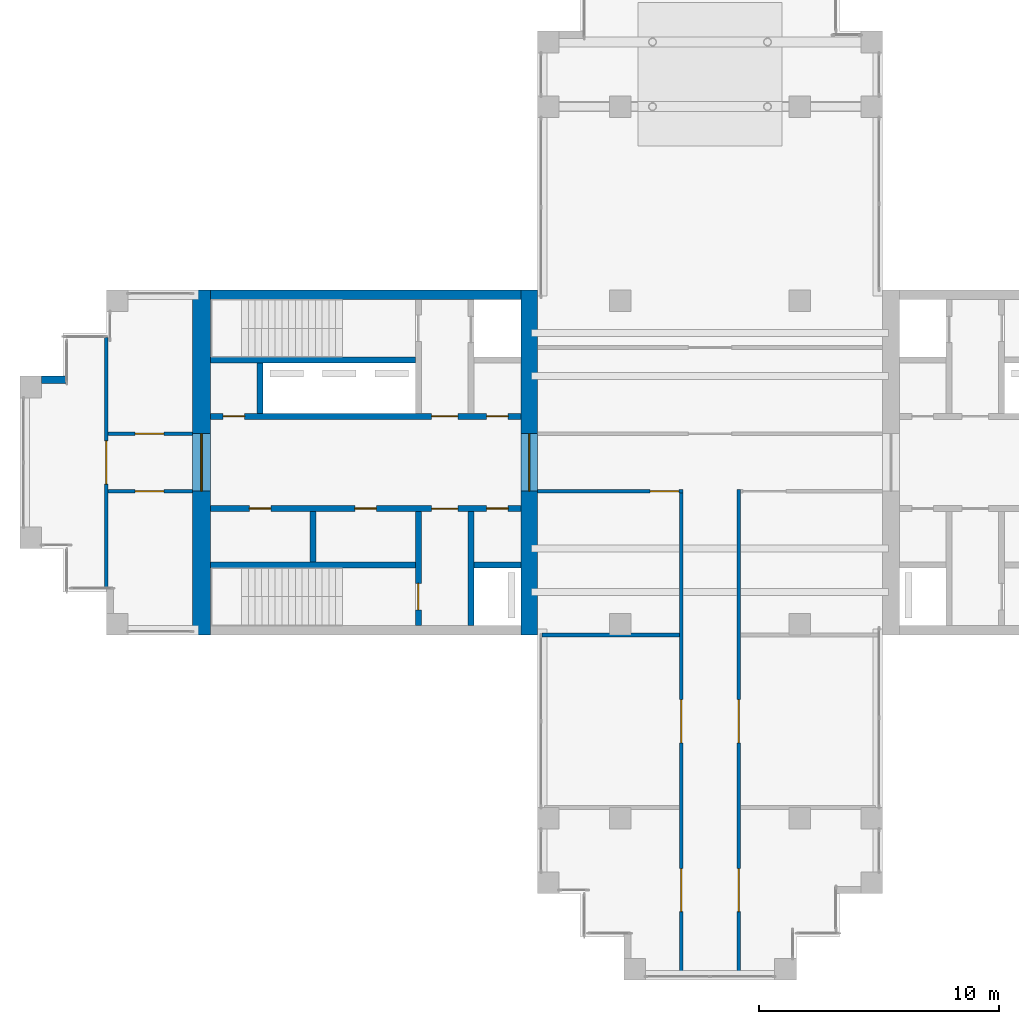
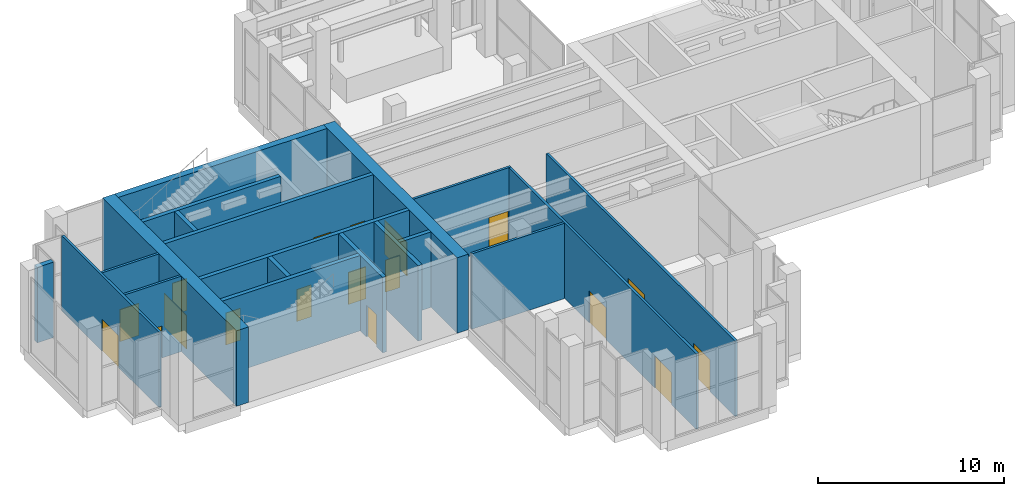
# One storey, part 10 of 13: 20 walls, 18 doors, 18 openings.
"""IFC4 building model written with IfcOpenShell, lengths in metres."""

from ifc_helpers import new_model, si_unit, direction, frame, frame_2d, origin, place, context, subcontext, project, spatial, rectangle, extrude, material, layer, layer_set, type_object, element, fill, save


model = new_model("IFC4")

# Units and contexts
model_context = context("Model", 3, precision=1e-05, world=origin(), true_north=direction((0.0, 1.0)))
body_context = subcontext(model_context, "Body", "Model", "MODEL_VIEW")
ifc_project = project(units=[si_unit("LENGTHUNIT", "METRE"), si_unit("AREAUNIT", "SQUARE_METRE"), si_unit("VOLUMEUNIT", "CUBIC_METRE"), si_unit("PLANEANGLEUNIT", "RADIAN"), si_unit("MASSUNIT", "GRAM", prefix="KILO")], contexts=[model_context])

# Site, building, storey
site_placement = place(None, origin())
site = spatial("IfcSite", under=ifc_project, at=site_placement, CompositionType="ELEMENT")
building_placement = place(site_placement, origin())
building = spatial("IfcBuilding", under=site, at=building_placement, Name="Fustian Cross Tower", CompositionType="ELEMENT")
storey_placement = place(building_placement, frame((0.0, 0.0, 242.10009765625)))
storey = spatial("IfcBuildingStorey", under=building, at=storey_placement, Name="L76", CompositionType="ELEMENT", Elevation=242.10009765625)

# Wall, opening, door
ifc_material_1 = material(Name="Plasterboard on steel stud", Category="steel")
ifc_layer_1 = layer(ifc_material_1, 0.14990234375)
ifc_layer_set_1 = layer_set([ifc_layer_1], Name="Plasterboard on steel stud")
wall_type_1 = type_object("IfcWallType", Name="COMPARTMENT WALL 150 EI 60", PredefinedType="PARTITIONING", material=ifc_layer_set_1)
wall_1_placement = place(storey_placement, frame((-25.199951171875, -5.219970703125, 0.0), z_axis=(0.0, 0.0, 1.0), x_axis=(0.0, 1.0, 0.0)))
wall_1 = element("IfcWall", 1, at=wall_1_placement, inside=storey, type_object=wall_type_1, Name="Partition 1", PredefinedType="PARTITIONING", context=body_context, shape_type="SweptSolid", body=[
    extrude(rectangle(XDim=10.43994140625, YDim=0.14990234375, at=frame_2d((5.219970703125, 0.0))), origin(), (0.0, 0.0, 1.0), 4.949951171875),
])
opening_1_placement = place(wall_1_placement, frame((4.320068359375, 0.0, 0.0)))
opening_1 = element("IfcOpeningElement", 2, at=opening_1_placement, cuts=wall_1, Name="Opening D35012", PredefinedType="OPENING", context=body_context, shape_type="SweptSolid", body=[
    extrude(rectangle(XDim=1.800048828125, YDim=2.10009765625, at=frame_2d((0.89990234375, 1.050048828125))), frame((0.0, 0.0849609375, 0.0), z_axis=(0.0, -1.0, 0.0), x_axis=(1.0, 0.0, 0.0)), (0.0, 0.0, 1.0), 0.169921875),
])
ifc_material_2 = material(Name="Timber fire door set", Category="wood")
door_type_1 = type_object("IfcDoorType", Name="FIRE DOUBLE DOOR 1800 FD60S", OperationType="DOUBLE_DOOR_DOUBLE_SWING", PredefinedType="DOOR", material=ifc_material_2)
door_1_placement = place(opening_1_placement, frame((1.800048828125, 0.0, 0.0), z_axis=(0.0, 0.0, 1.0), x_axis=(-1.0, 0.0, 0.0)))
door_1 = element("IfcDoor", 3, at=door_1_placement, inside=storey, type_object=door_type_1, Name="Door D35012", OperationType="DOUBLE_DOOR_DOUBLE_SWING", OverallHeight=2.10009765625, OverallWidth=1.800048828125, PredefinedType="DOOR", context=body_context, shape_type="SweptSolid", body=[
    extrude(rectangle(XDim=1.800048828125, YDim=2.10009765625, at=frame_2d((0.89990234375, 1.050048828125))), frame((0.0, 0.02490234375, 0.0), z_axis=(0.0, -1.0, 0.0), x_axis=(1.0, 0.0, 0.0)), (0.0, 0.0, 1.0), 0.050048828125),
])
fill(opening_1, door_1)

wall_2_placement = place(storey_placement, frame((-25.125, -1.199951171875, 0.0), z_axis=(0.0, 0.0, 1.0), x_axis=(1.0, 0.0, 0.0)))
wall_2 = element("IfcWall", 4, at=wall_2_placement, inside=storey, type_object=wall_type_1, Name="Partition 2", PredefinedType="PARTITIONING", context=body_context, shape_type="SweptSolid", body=[
    extrude(rectangle(XDim=3.52490234375, YDim=0.14990234375, at=frame_2d((1.762451171875, 0.0))), origin(), (0.0, 0.0, 1.0), 4.949951171875),
])
opening_2_placement = place(wall_2_placement, frame((1.125, 0.0, 0.0)))
opening_2 = element("IfcOpeningElement", 5, at=opening_2_placement, cuts=wall_2, Name="Opening D35013", PredefinedType="OPENING", context=body_context, shape_type="SweptSolid", body=[
    extrude(rectangle(XDim=1.199951171875, YDim=2.10009765625, at=frame_2d((0.60009765625, 1.050048828125))), frame((0.0, 0.0849609375, 0.0), z_axis=(0.0, -1.0, 0.0), x_axis=(1.0, 0.0, 0.0)), (0.0, 0.0, 1.0), 0.169921875),
])
ifc_material_3 = material(Name="Timber fire door set", Category="wood")
door_type_2 = type_object("IfcDoorType", Name="FIRE SWING DOOR 1200 FD60S", OperationType="SINGLE_SWING_LEFT", PredefinedType="DOOR", material=ifc_material_3)
door_2_placement = place(opening_2_placement, origin())
door_2 = element("IfcDoor", 6, at=door_2_placement, inside=storey, type_object=door_type_2, Name="Door D35013", OperationType="SINGLE_SWING_LEFT", OverallHeight=2.10009765625, OverallWidth=1.199951171875, PredefinedType="DOOR", context=body_context, shape_type="SweptSolid", body=[
    extrude(rectangle(XDim=1.199951171875, YDim=2.10009765625, at=frame_2d((0.60009765625, 1.050048828125))), frame((0.0, 0.02490234375, 0.0), z_axis=(0.0, -1.0, 0.0), x_axis=(1.0, 0.0, 0.0)), (0.0, 0.0, 1.0), 0.050048828125),
])
fill(opening_2, door_2)

wall_3_placement = place(storey_placement, frame((-25.125, 1.199951171875, 0.0), z_axis=(0.0, 0.0, 1.0), x_axis=(1.0, 0.0, 0.0)))
wall_3 = element("IfcWall", 7, at=wall_3_placement, inside=storey, type_object=wall_type_1, Name="Partition 3", PredefinedType="PARTITIONING", context=body_context, shape_type="SweptSolid", body=[
    extrude(rectangle(XDim=3.52490234375, YDim=0.14990234375, at=frame_2d((1.762451171875, 0.0))), origin(), (0.0, 0.0, 1.0), 4.949951171875),
])
opening_3_placement = place(wall_3_placement, frame((1.125, 0.0, 0.0)))
opening_3 = element("IfcOpeningElement", 8, at=opening_3_placement, cuts=wall_3, Name="Opening D35014", PredefinedType="OPENING", context=body_context, shape_type="SweptSolid", body=[
    extrude(rectangle(XDim=1.199951171875, YDim=2.10009765625, at=frame_2d((0.60009765625, 1.050048828125))), frame((0.0, 0.0849609375, 0.0), z_axis=(0.0, -1.0, 0.0), x_axis=(1.0, 0.0, 0.0)), (0.0, 0.0, 1.0), 0.169921875),
])
door_3_placement = place(opening_3_placement, origin())
door_3 = element("IfcDoor", 9, at=door_3_placement, inside=storey, type_object=door_type_2, Name="Door D35014", OperationType="SINGLE_SWING_LEFT", OverallHeight=2.10009765625, OverallWidth=1.199951171875, PredefinedType="DOOR", context=body_context, shape_type="SweptSolid", body=[
    extrude(rectangle(XDim=1.199951171875, YDim=2.10009765625, at=frame_2d((0.60009765625, 1.050048828125))), frame((0.0, 0.02490234375, 0.0), z_axis=(0.0, -1.0, 0.0), x_axis=(1.0, 0.0, 0.0)), (0.0, 0.0, 1.0), 0.050048828125),
])
fill(opening_3, door_3)

wall_4_placement = place(storey_placement, frame((-7.199951171875, -1.199951171875, 0.0), z_axis=(0.0, 0.0, 1.0), x_axis=(1.0, 0.0, 0.0)))
wall_4 = element("IfcWall", 10, at=wall_4_placement, inside=storey, type_object=wall_type_1, Name="Partition 4", PredefinedType="PARTITIONING", context=body_context, shape_type="SweptSolid", body=[
    extrude(rectangle(XDim=6.074951171875, YDim=0.14990234375, at=frame_2d((3.03759765625, 0.0))), origin(), (0.0, 0.0, 1.0), 4.949951171875),
])
opening_4_placement = place(wall_4_placement, frame((4.699951171875, 0.0, 0.0)))
opening_4 = element("IfcOpeningElement", 11, at=opening_4_placement, cuts=wall_4, Name="Opening D35003", PredefinedType="OPENING", context=body_context, shape_type="SweptSolid", body=[
    extrude(rectangle(XDim=1.199951171875, YDim=2.10009765625, at=frame_2d((0.60009765625, 1.050048828125))), frame((0.0, 0.0849609375, 0.0), z_axis=(0.0, -1.0, 0.0), x_axis=(1.0, 0.0, 0.0)), (0.0, 0.0, 1.0), 0.169921875),
])
door_4_placement = place(opening_4_placement, frame((1.199951171875, 0.0, 0.0), z_axis=(0.0, 0.0, 1.0), x_axis=(-1.0, 0.0, 0.0)))
door_4 = element("IfcDoor", 12, at=door_4_placement, inside=storey, type_object=door_type_2, Name="Door D35003", OperationType="SINGLE_SWING_LEFT", OverallHeight=2.10009765625, OverallWidth=1.199951171875, PredefinedType="DOOR", context=body_context, shape_type="SweptSolid", body=[
    extrude(rectangle(XDim=1.199951171875, YDim=2.10009765625, at=frame_2d((0.60009765625, 1.050048828125))), frame((0.0, 0.02490234375, 0.0), z_axis=(0.0, -1.0, 0.0), x_axis=(1.0, 0.0, 0.0)), (0.0, 0.0, 1.0), 0.050048828125),
])
fill(opening_4, door_4)

# Wall
wall_5_placement = place(storey_placement, frame((-7.02001953125, -7.199951171875, 0.0), z_axis=(0.0, 0.0, 1.0), x_axis=(1.0, 0.0, 0.0)))
element("IfcWall", 13, at=wall_5_placement, inside=storey, type_object=wall_type_1, Name="Partition 8", PredefinedType="PARTITIONING", context=body_context, shape_type="SweptSolid", body=[
    extrude(rectangle(XDim=5.7451171875, YDim=0.14990234375, at=frame_2d((2.87255859375, 0.0))), origin(), (0.0, 0.0, 1.0), 4.949951171875),
])

# Wall, openings, doors
wall_6_placement = place(storey_placement, frame((-1.199951171875, -21.419921875, 0.0), z_axis=(0.0, 0.0, 1.0), x_axis=(0.0, 1.0, 0.0)))
wall_6 = element("IfcWall", 14, at=wall_6_placement, inside=storey, type_object=wall_type_1, Name="Partition 9", PredefinedType="PARTITIONING", context=body_context, shape_type="SweptSolid", body=[
    extrude(rectangle(XDim=20.14501953125, YDim=0.14990234375, at=frame_2d((10.072509765625, 0.0))), origin(), (0.0, 0.0, 1.0), 4.949951171875),
])
opening_5_placement = place(wall_6_placement, frame((9.719970703125, 0.0, 0.0)))
opening_5 = element("IfcOpeningElement", 15, at=opening_5_placement, cuts=wall_6, Name="Opening D35007", PredefinedType="OPENING", context=body_context, shape_type="SweptSolid", body=[
    extrude(rectangle(XDim=1.800048828125, YDim=2.10009765625, at=frame_2d((0.89990234375, 1.050048828125))), frame((0.0, 0.0849609375, 0.0), z_axis=(0.0, -1.0, 0.0), x_axis=(1.0, 0.0, 0.0)), (0.0, 0.0, 1.0), 0.169921875),
])
opening_6_placement = place(wall_6_placement, frame((2.669921875, 0.0, 0.0)))
opening_6 = element("IfcOpeningElement", 16, at=opening_6_placement, cuts=wall_6, Name="Opening D35008", PredefinedType="OPENING", context=body_context, shape_type="SweptSolid", body=[
    extrude(rectangle(XDim=1.800048828125, YDim=2.10009765625, at=frame_2d((0.89990234375, 1.050048828125))), frame((0.0, 0.0849609375, 0.0), z_axis=(0.0, -1.0, 0.0), x_axis=(1.0, 0.0, 0.0)), (0.0, 0.0, 1.0), 0.169921875),
])
door_5_placement = place(opening_5_placement, frame((1.800048828125, 0.0, 0.0), z_axis=(0.0, 0.0, 1.0), x_axis=(-1.0, 0.0, 0.0)))
door_5 = element("IfcDoor", 17, at=door_5_placement, inside=storey, type_object=door_type_1, Name="Door D35007", OperationType="DOUBLE_DOOR_DOUBLE_SWING", OverallHeight=2.10009765625, OverallWidth=1.800048828125, PredefinedType="DOOR", context=body_context, shape_type="SweptSolid", body=[
    extrude(rectangle(XDim=1.800048828125, YDim=2.10009765625, at=frame_2d((0.89990234375, 1.050048828125))), frame((0.0, 0.02490234375, 0.0), z_axis=(0.0, -1.0, 0.0), x_axis=(1.0, 0.0, 0.0)), (0.0, 0.0, 1.0), 0.050048828125),
])
fill(opening_5, door_5)
door_6_placement = place(opening_6_placement, frame((1.800048828125, 0.0, 0.0), z_axis=(0.0, 0.0, 1.0), x_axis=(-1.0, 0.0, 0.0)))
door_6 = element("IfcDoor", 18, at=door_6_placement, inside=storey, type_object=door_type_1, Name="Door D35008", OperationType="DOUBLE_DOOR_DOUBLE_SWING", OverallHeight=2.10009765625, OverallWidth=1.800048828125, PredefinedType="DOOR", context=body_context, shape_type="SweptSolid", body=[
    extrude(rectangle(XDim=1.800048828125, YDim=2.10009765625, at=frame_2d((0.89990234375, 1.050048828125))), frame((0.0, 0.02490234375, 0.0), z_axis=(0.0, -1.0, 0.0), x_axis=(1.0, 0.0, 0.0)), (0.0, 0.0, 1.0), 0.050048828125),
])
fill(opening_6, door_6)

wall_7_placement = place(storey_placement, frame((1.199951171875, -21.419921875, 0.0), z_axis=(0.0, 0.0, 1.0), x_axis=(0.0, 1.0, 0.0)))
wall_7 = element("IfcWall", 19, at=wall_7_placement, inside=storey, type_object=wall_type_1, Name="Partition 10", PredefinedType="PARTITIONING", context=body_context, shape_type="SweptSolid", body=[
    extrude(rectangle(XDim=20.294921875, YDim=0.14990234375, at=frame_2d((10.1474609375, 0.0))), origin(), (0.0, 0.0, 1.0), 4.949951171875),
])
opening_7_placement = place(wall_7_placement, frame((9.719970703125, 0.0, 0.0)))
opening_7 = element("IfcOpeningElement", 20, at=opening_7_placement, cuts=wall_7, Name="Opening D35005", PredefinedType="OPENING", context=body_context, shape_type="SweptSolid", body=[
    extrude(rectangle(XDim=1.800048828125, YDim=2.10009765625, at=frame_2d((0.89990234375, 1.050048828125))), frame((0.0, 0.0849609375, 0.0), z_axis=(0.0, -1.0, 0.0), x_axis=(1.0, 0.0, 0.0)), (0.0, 0.0, 1.0), 0.169921875),
])
opening_8_placement = place(wall_7_placement, frame((2.669921875, 0.0, 0.0)))
opening_8 = element("IfcOpeningElement", 21, at=opening_8_placement, cuts=wall_7, Name="Opening D35006", PredefinedType="OPENING", context=body_context, shape_type="SweptSolid", body=[
    extrude(rectangle(XDim=1.800048828125, YDim=2.10009765625, at=frame_2d((0.89990234375, 1.050048828125))), frame((0.0, 0.0849609375, 0.0), z_axis=(0.0, -1.0, 0.0), x_axis=(1.0, 0.0, 0.0)), (0.0, 0.0, 1.0), 0.169921875),
])
door_7_placement = place(opening_7_placement, origin())
door_7 = element("IfcDoor", 22, at=door_7_placement, inside=storey, type_object=door_type_1, Name="Door D35005", OperationType="DOUBLE_DOOR_DOUBLE_SWING", OverallHeight=2.10009765625, OverallWidth=1.800048828125, PredefinedType="DOOR", context=body_context, shape_type="SweptSolid", body=[
    extrude(rectangle(XDim=1.800048828125, YDim=2.10009765625, at=frame_2d((0.89990234375, 1.050048828125))), frame((0.0, 0.02490234375, 0.0), z_axis=(0.0, -1.0, 0.0), x_axis=(1.0, 0.0, 0.0)), (0.0, 0.0, 1.0), 0.050048828125),
])
fill(opening_7, door_7)
door_8_placement = place(opening_8_placement, origin())
door_8 = element("IfcDoor", 23, at=door_8_placement, inside=storey, type_object=door_type_1, Name="Door D35006", OperationType="DOUBLE_DOOR_DOUBLE_SWING", OverallHeight=2.10009765625, OverallWidth=1.800048828125, PredefinedType="DOOR", context=body_context, shape_type="SweptSolid", body=[
    extrude(rectangle(XDim=1.800048828125, YDim=2.10009765625, at=frame_2d((0.89990234375, 1.050048828125))), frame((0.0, 0.02490234375, 0.0), z_axis=(0.0, -1.0, 0.0), x_axis=(1.0, 0.0, 0.0)), (0.0, 0.0, 1.0), 0.050048828125),
])
fill(opening_8, door_8)

# Wall, opening, door
ifc_material_4 = material(Name="Concrete C50/60", Category="concrete")
ifc_layer_2 = layer(ifc_material_4, 0.699951171875)
ifc_layer_set_2 = layer_set([ifc_layer_2], Name="Concrete C50/60")
wall_type_2 = type_object("IfcWallType", Name="CORE END WALL 700 C50/60", PredefinedType="SHEAR", material=ifc_layer_set_2)
wall_8_placement = place(storey_placement, frame((-7.550048828125, -7.199951171875, 0.0), z_axis=(0.0, 0.0, 1.0), x_axis=(0.0, 1.0, 0.0)))
wall_8 = element("IfcWall", 24, at=wall_8_placement, inside=storey, type_object=wall_type_2, Name="Core end wall", PredefinedType="SHEAR", context=body_context, shape_type="SweptSolid", body=[
    extrude(rectangle(XDim=14.39990234375, YDim=0.699951171875, at=frame_2d((7.199951171875, 0.0))), origin(), (0.0, 0.0, 1.0), 4.949951171875),
])
opening_9_placement = place(wall_8_placement, frame((6.0, 0.0, 0.0)))
opening_9 = element("IfcOpeningElement", 25, at=opening_9_placement, cuts=wall_8, Name="Opening CD-31-20", PredefinedType="OPENING", context=body_context, shape_type="SweptSolid", body=[
    extrude(rectangle(XDim=2.39990234375, YDim=2.199951171875, at=frame_2d((1.199951171875, 1.10009765625))), frame((0.0, 0.35986328125, 0.0), z_axis=(0.0, -1.0, 0.0), x_axis=(1.0, 0.0, 0.0)), (0.0, 0.0, 1.0), 0.719970703125),
])
ifc_material_5 = material(Name="Steel", Category="steel")
door_type_3 = type_object("IfcDoorType", Name="FIRE DOOR FD30S DOUBLE 2400X2200", OperationType="DOUBLE_DOOR_DOUBLE_SWING", PredefinedType="DOOR", material=ifc_material_5)
door_9_placement = place(opening_9_placement, origin())
door_9 = element("IfcDoor", 26, at=door_9_placement, inside=storey, type_object=door_type_3, Name="Core door CD-31-20", OperationType="DOUBLE_DOOR_DOUBLE_SWING", OverallHeight=2.199951171875, OverallWidth=2.39990234375, PredefinedType="DOOR", context=body_context, shape_type="SweptSolid", body=[
    extrude(rectangle(XDim=2.39990234375, YDim=2.199951171875, at=frame_2d((1.199951171875, 1.10009765625))), frame((0.0, 0.02490234375, 0.0), z_axis=(0.0, -1.0, 0.0), x_axis=(1.0, 0.0, 0.0)), (0.0, 0.0, 1.0), 0.050048828125),
])
fill(opening_9, door_9)

ifc_material_6 = material(Name="Concrete C50/60", Category="concrete")
ifc_layer_3 = layer(ifc_material_6, 0.75)
ifc_layer_set_3 = layer_set([ifc_layer_3], Name="Concrete C50/60")
wall_type_3 = type_object("IfcWallType", Name="CORE END WALL 750 C50/60", PredefinedType="SHEAR", material=ifc_layer_set_3)
wall_9_placement = place(storey_placement, frame((-21.22509765625, -7.199951171875, 0.0), z_axis=(0.0, 0.0, 1.0), x_axis=(0.0, 1.0, 0.0)))
wall_9 = element("IfcWall", 27, at=wall_9_placement, inside=storey, type_object=wall_type_3, Name="Core end wall", PredefinedType="SHEAR", context=body_context, shape_type="SweptSolid", body=[
    extrude(rectangle(XDim=14.39990234375, YDim=0.75, at=frame_2d((7.199951171875, 0.0))), origin(), (0.0, 0.0, 1.0), 4.949951171875),
])
opening_10_placement = place(wall_9_placement, frame((6.0, 0.0, 0.0)))
opening_10 = element("IfcOpeningElement", 28, at=opening_10_placement, cuts=wall_9, Name="Opening CD-31-21", PredefinedType="OPENING", context=body_context, shape_type="SweptSolid", body=[
    extrude(rectangle(XDim=2.39990234375, YDim=2.199951171875, at=frame_2d((1.199951171875, 1.10009765625))), frame((0.0, 0.385009765625, 0.0), z_axis=(0.0, -1.0, 0.0), x_axis=(1.0, 0.0, 0.0)), (0.0, 0.0, 1.0), 0.77001953125),
])
door_10_placement = place(opening_10_placement, frame((2.39990234375, 0.0, 0.0), z_axis=(0.0, 0.0, 1.0), x_axis=(-1.0, 0.0, 0.0)))
door_10 = element("IfcDoor", 29, at=door_10_placement, inside=storey, type_object=door_type_3, Name="Core door CD-31-21", OperationType="DOUBLE_DOOR_DOUBLE_SWING", OverallHeight=2.199951171875, OverallWidth=2.39990234375, PredefinedType="DOOR", context=body_context, shape_type="SweptSolid", body=[
    extrude(rectangle(XDim=2.39990234375, YDim=2.199951171875, at=frame_2d((1.199951171875, 1.10009765625))), frame((0.0, 0.02490234375, 0.0), z_axis=(0.0, -1.0, 0.0), x_axis=(1.0, 0.0, 0.0)), (0.0, 0.0, 1.0), 0.050048828125),
])
fill(opening_10, door_10)

# Wall
ifc_material_7 = material(Name="Concrete C50/60", Category="concrete")
ifc_layer_4 = layer(ifc_material_7, 0.39990234375)
ifc_layer_set_4 = layer_set([ifc_layer_4], Name="Concrete C50/60")
wall_type_4 = type_object("IfcWallType", Name="CORE FACADE WALL 400 C50/60", PredefinedType="SHEAR", material=ifc_layer_set_4)
wall_10_placement = place(storey_placement, frame((-7.89990234375, 7.0, 0.0), z_axis=(0.0, 0.0, 1.0), x_axis=(-1.0, 0.0, 0.0)))
element("IfcWall", 30, at=wall_10_placement, inside=storey, type_object=wall_type_4, Name="Core facade wall", PredefinedType="SHEAR", context=body_context, shape_type="SweptSolid", body=[
    extrude(rectangle(XDim=12.9501953125, YDim=0.39990234375, at=frame_2d((6.47509765625, 0.0))), origin(), (0.0, 0.0, 1.0), 4.949951171875),
])

# Wall, openings, doors
ifc_material_8 = material(Name="Concrete C50/60", Category="concrete")
ifc_layer_5 = layer(ifc_material_8, 0.25)
ifc_layer_set_5 = layer_set([ifc_layer_5], Name="Concrete C50/60")
wall_type_5 = type_object("IfcWallType", Name="CORE LOBBY WALL 250 C50/60", PredefinedType="SHEAR", material=ifc_layer_set_5)
wall_11_placement = place(storey_placement, frame((-7.89990234375, 1.925048828125, 0.0), z_axis=(0.0, 0.0, 1.0), x_axis=(-1.0, 0.0, 0.0)))
wall_11 = element("IfcWall", 31, at=wall_11_placement, inside=storey, type_object=wall_type_5, Name="Core lobby wall", PredefinedType="SHEAR", context=body_context, shape_type="SweptSolid", body=[
    extrude(rectangle(XDim=12.9501953125, YDim=0.25, at=frame_2d((6.47509765625, 0.0))), origin(), (0.0, 0.0, 1.0), 4.949951171875),
])
opening_11_placement = place(wall_11_placement, frame((0.52490234375, 0.0, 0.0)))
opening_11 = element("IfcOpeningElement", 32, at=opening_11_placement, cuts=wall_11, Name="Opening CD-31-16", PredefinedType="OPENING", context=body_context, shape_type="SweptSolid", body=[
    extrude(rectangle(XDim=0.89990234375, YDim=2.10009765625, at=frame_2d((0.449951171875, 1.050048828125))), frame((0.0, 0.135009765625, 0.0), z_axis=(0.0, -1.0, 0.0), x_axis=(1.0, 0.0, 0.0)), (0.0, 0.0, 1.0), 0.27001953125),
])
opening_12_placement = place(wall_11_placement, frame((2.625, 0.0, 0.0)))
opening_12 = element("IfcOpeningElement", 33, at=opening_12_placement, cuts=wall_11, Name="Opening CD-31-18", PredefinedType="OPENING", context=body_context, shape_type="SweptSolid", body=[
    extrude(rectangle(XDim=1.10009765625, YDim=2.10009765625, at=frame_2d((0.550048828125, 1.050048828125))), frame((0.0, 0.135009765625, 0.0), z_axis=(0.0, -1.0, 0.0), x_axis=(1.0, 0.0, 0.0)), (0.0, 0.0, 1.0), 0.27001953125),
])
opening_13_placement = place(wall_11_placement, frame((11.52490234375, 0.0, 0.0)))
opening_13 = element("IfcOpeningElement", 34, at=opening_13_placement, cuts=wall_11, Name="Opening CD-31-22", PredefinedType="OPENING", context=body_context, shape_type="SweptSolid", body=[
    extrude(rectangle(XDim=0.89990234375, YDim=2.10009765625, at=frame_2d((0.449951171875, 1.050048828125))), frame((0.0, 0.135009765625, 0.0), z_axis=(0.0, -1.0, 0.0), x_axis=(1.0, 0.0, 0.0)), (0.0, 0.0, 1.0), 0.27001953125),
])
ifc_material_9 = material(Name="Steel", Category="steel")
door_type_4 = type_object("IfcDoorType", Name="FIRE DOOR FD30S 900X2100", OperationType="SINGLE_SWING_LEFT", PredefinedType="DOOR", material=ifc_material_9)
door_11_placement = place(opening_13_placement, frame((0.89990234375, 0.0, 0.0), z_axis=(0.0, 0.0, 1.0), x_axis=(-1.0, 0.0, 0.0)))
door_11 = element("IfcDoor", 35, at=door_11_placement, inside=storey, type_object=door_type_4, Name="Core door CD-31-22", OperationType="SINGLE_SWING_RIGHT", OverallHeight=2.10009765625, OverallWidth=0.89990234375, PredefinedType="DOOR", context=body_context, shape_type="SweptSolid", body=[
    extrude(rectangle(XDim=0.89990234375, YDim=2.10009765625, at=frame_2d((0.449951171875, 1.050048828125))), frame((0.0, 0.02490234375, 0.0), z_axis=(0.0, -1.0, 0.0), x_axis=(1.0, 0.0, 0.0)), (0.0, 0.0, 1.0), 0.050048828125),
])
fill(opening_13, door_11)
ifc_material_10 = material(Name="Steel", Category="steel")
door_type_5 = type_object("IfcDoorType", Name="FIRE DOOR FD60S 1100X2100", OperationType="SINGLE_SWING_LEFT", PredefinedType="DOOR", material=ifc_material_10)
door_12_placement = place(opening_12_placement, frame((1.10009765625, 0.0, 0.0), z_axis=(0.0, 0.0, 1.0), x_axis=(-1.0, 0.0, 0.0)))
door_12 = element("IfcDoor", 36, at=door_12_placement, inside=storey, type_object=door_type_5, Name="Core door CD-31-18", OperationType="SINGLE_SWING_RIGHT", OverallHeight=2.10009765625, OverallWidth=1.10009765625, PredefinedType="DOOR", context=body_context, shape_type="SweptSolid", body=[
    extrude(rectangle(XDim=1.10009765625, YDim=2.10009765625, at=frame_2d((0.550048828125, 1.050048828125))), frame((0.0, 0.02490234375, 0.0), z_axis=(0.0, -1.0, 0.0), x_axis=(1.0, 0.0, 0.0)), (0.0, 0.0, 1.0), 0.050048828125),
])
fill(opening_12, door_12)
ifc_material_11 = material(Name="Steel", Category="steel")
door_type_6 = type_object("IfcDoorType", Name="FIRE DOOR FD60S 900X2100", OperationType="SINGLE_SWING_LEFT", PredefinedType="DOOR", material=ifc_material_11)
door_13_placement = place(opening_11_placement, frame((0.89990234375, 0.0, 0.0), z_axis=(0.0, 0.0, 1.0), x_axis=(-1.0, 0.0, 0.0)))
door_13 = element("IfcDoor", 37, at=door_13_placement, inside=storey, type_object=door_type_6, Name="Core door CD-31-16", OperationType="SINGLE_SWING_RIGHT", OverallHeight=2.10009765625, OverallWidth=0.89990234375, PredefinedType="DOOR", context=body_context, shape_type="SweptSolid", body=[
    extrude(rectangle(XDim=0.89990234375, YDim=2.10009765625, at=frame_2d((0.449951171875, 1.050048828125))), frame((0.0, 0.02490234375, 0.0), z_axis=(0.0, -1.0, 0.0), x_axis=(1.0, 0.0, 0.0)), (0.0, 0.0, 1.0), 0.050048828125),
])
fill(opening_11, door_13)

wall_12_placement = place(storey_placement, frame((-7.89990234375, -1.925048828125, 0.0), z_axis=(0.0, 0.0, 1.0), x_axis=(-1.0, 0.0, 0.0)))
wall_12 = element("IfcWall", 38, at=wall_12_placement, inside=storey, type_object=wall_type_5, Name="Core lobby wall", PredefinedType="SHEAR", context=body_context, shape_type="SweptSolid", body=[
    extrude(rectangle(XDim=12.9501953125, YDim=0.25, at=frame_2d((6.47509765625, 0.0))), origin(), (0.0, 0.0, 1.0), 4.949951171875),
])
opening_14_placement = place(wall_12_placement, frame((0.52490234375, 0.0, 0.0)))
opening_14 = element("IfcOpeningElement", 39, at=opening_14_placement, cuts=wall_12, Name="Opening CD-31-17", PredefinedType="OPENING", context=body_context, shape_type="SweptSolid", body=[
    extrude(rectangle(XDim=0.89990234375, YDim=2.10009765625, at=frame_2d((0.449951171875, 1.050048828125))), frame((0.0, 0.135009765625, 0.0), z_axis=(0.0, -1.0, 0.0), x_axis=(1.0, 0.0, 0.0)), (0.0, 0.0, 1.0), 0.27001953125),
])
opening_15_placement = place(wall_12_placement, frame((2.625, 0.0, 0.0)))
opening_15 = element("IfcOpeningElement", 40, at=opening_15_placement, cuts=wall_12, Name="Opening CD-31-19", PredefinedType="OPENING", context=body_context, shape_type="SweptSolid", body=[
    extrude(rectangle(XDim=1.10009765625, YDim=2.10009765625, at=frame_2d((0.550048828125, 1.050048828125))), frame((0.0, 0.135009765625, 0.0), z_axis=(0.0, -1.0, 0.0), x_axis=(1.0, 0.0, 0.0)), (0.0, 0.0, 1.0), 0.27001953125),
])
opening_16_placement = place(wall_12_placement, frame((6.02490234375, 0.0, 0.0)))
opening_16 = element("IfcOpeningElement", 41, at=opening_16_placement, cuts=wall_12, Name="Opening CD-31-23", PredefinedType="OPENING", context=body_context, shape_type="SweptSolid", body=[
    extrude(rectangle(XDim=0.89990234375, YDim=2.10009765625, at=frame_2d((0.449951171875, 1.050048828125))), frame((0.0, 0.135009765625, 0.0), z_axis=(0.0, -1.0, 0.0), x_axis=(1.0, 0.0, 0.0)), (0.0, 0.0, 1.0), 0.27001953125),
])
opening_17_placement = place(wall_12_placement, frame((10.425048828125, 0.0, 0.0)))
opening_17 = element("IfcOpeningElement", 42, at=opening_17_placement, cuts=wall_12, Name="Opening CD-31-24", PredefinedType="OPENING", context=body_context, shape_type="SweptSolid", body=[
    extrude(rectangle(XDim=0.89990234375, YDim=2.10009765625, at=frame_2d((0.449951171875, 1.050048828125))), frame((0.0, 0.135009765625, 0.0), z_axis=(0.0, -1.0, 0.0), x_axis=(1.0, 0.0, 0.0)), (0.0, 0.0, 1.0), 0.27001953125),
])
ifc_material_12 = material(Name="Steel", Category="steel")
door_type_7 = type_object("IfcDoorType", Name="FIRE DOOR FD30S 1100X2100", OperationType="SINGLE_SWING_LEFT", PredefinedType="DOOR", material=ifc_material_12)
door_14_placement = place(opening_15_placement, frame((1.10009765625, 0.0, 0.0), z_axis=(0.0, 0.0, 1.0), x_axis=(-1.0, 0.0, 0.0)))
door_14 = element("IfcDoor", 43, at=door_14_placement, inside=storey, type_object=door_type_7, Name="Core door CD-31-19", OperationType="SINGLE_SWING_RIGHT", OverallHeight=2.10009765625, OverallWidth=1.10009765625, PredefinedType="DOOR", context=body_context, shape_type="SweptSolid", body=[
    extrude(rectangle(XDim=1.10009765625, YDim=2.10009765625, at=frame_2d((0.550048828125, 1.050048828125))), frame((0.0, 0.02490234375, 0.0), z_axis=(0.0, -1.0, 0.0), x_axis=(1.0, 0.0, 0.0)), (0.0, 0.0, 1.0), 0.050048828125),
])
fill(opening_15, door_14)
door_15_placement = place(opening_14_placement, origin())
door_15 = element("IfcDoor", 44, at=door_15_placement, inside=storey, type_object=door_type_4, Name="Core door CD-31-17", OperationType="SINGLE_SWING_LEFT", OverallHeight=2.10009765625, OverallWidth=0.89990234375, PredefinedType="DOOR", context=body_context, shape_type="SweptSolid", body=[
    extrude(rectangle(XDim=0.89990234375, YDim=2.10009765625, at=frame_2d((0.449951171875, 1.050048828125))), frame((0.0, 0.02490234375, 0.0), z_axis=(0.0, -1.0, 0.0), x_axis=(1.0, 0.0, 0.0)), (0.0, 0.0, 1.0), 0.050048828125),
])
fill(opening_14, door_15)
door_16_placement = place(opening_16_placement, origin())
door_16 = element("IfcDoor", 45, at=door_16_placement, inside=storey, type_object=door_type_4, Name="Core door CD-31-23", OperationType="SINGLE_SWING_RIGHT", OverallHeight=2.10009765625, OverallWidth=0.89990234375, PredefinedType="DOOR", context=body_context, shape_type="SweptSolid", body=[
    extrude(rectangle(XDim=0.89990234375, YDim=2.10009765625, at=frame_2d((0.449951171875, 1.050048828125))), frame((0.0, 0.02490234375, 0.0), z_axis=(0.0, -1.0, 0.0), x_axis=(1.0, 0.0, 0.0)), (0.0, 0.0, 1.0), 0.050048828125),
])
fill(opening_16, door_16)
door_17_placement = place(opening_17_placement, origin())
door_17 = element("IfcDoor", 46, at=door_17_placement, inside=storey, type_object=door_type_4, Name="Core door CD-31-24", OperationType="SINGLE_SWING_RIGHT", OverallHeight=2.10009765625, OverallWidth=0.89990234375, PredefinedType="DOOR", context=body_context, shape_type="SweptSolid", body=[
    extrude(rectangle(XDim=0.89990234375, YDim=2.10009765625, at=frame_2d((0.449951171875, 1.050048828125))), frame((0.0, 0.02490234375, 0.0), z_axis=(0.0, -1.0, 0.0), x_axis=(1.0, 0.0, 0.0)), (0.0, 0.0, 1.0), 0.050048828125),
])
fill(opening_17, door_17)

# Walls
ifc_material_13 = material(Name="Concrete C50/60", Category="concrete")
ifc_layer_6 = layer(ifc_material_13, 0.25)
ifc_layer_set_6 = layer_set([ifc_layer_6], Name="Concrete C50/60")
wall_type_6 = type_object("IfcWallType", Name="CORE SHAFT WALL 250 C50/60", PredefinedType="SHEAR", material=ifc_layer_set_6)
wall_13_placement = place(storey_placement, frame((-12.300048828125, 4.27490234375, 0.0), z_axis=(0.0, 0.0, 1.0), x_axis=(-1.0, 0.0, 0.0)))
element("IfcWall", 47, at=wall_13_placement, inside=storey, type_object=wall_type_6, Name="Core shaft wall", PredefinedType="SHEAR", context=body_context, shape_type="SweptSolid", body=[
    extrude(rectangle(XDim=8.550048828125, YDim=0.25, at=frame_2d((4.27490234375, 0.0))), origin(), (0.0, 0.0, 1.0), 4.949951171875),
])
wall_14_placement = place(storey_placement, frame((-7.89990234375, -4.27490234375, 0.0), z_axis=(0.0, 0.0, 1.0), x_axis=(-1.0, 0.0, 0.0)))
element("IfcWall", 48, at=wall_14_placement, inside=storey, type_object=wall_type_6, Name="Core shaft wall", PredefinedType="SHEAR", context=body_context, shape_type="SweptSolid", body=[
    extrude(rectangle(XDim=1.9501953125, YDim=0.25, at=frame_2d((0.97509765625, 0.0))), origin(), (0.0, 0.0, 1.0), 4.949951171875),
])
wall_15_placement = place(storey_placement, frame((-12.300048828125, -4.27490234375, 0.0), z_axis=(0.0, 0.0, 1.0), x_axis=(-1.0, 0.0, 0.0)))
element("IfcWall", 49, at=wall_15_placement, inside=storey, type_object=wall_type_6, Name="Core shaft wall", PredefinedType="SHEAR", context=body_context, shape_type="SweptSolid", body=[
    extrude(rectangle(XDim=8.550048828125, YDim=0.25, at=frame_2d((4.27490234375, 0.0))), origin(), (0.0, 0.0, 1.0), 4.949951171875),
])
wall_16_placement = place(storey_placement, frame((-9.97509765625, -2.050048828125, 0.0), z_axis=(0.0, 0.0, 1.0), x_axis=(0.0, -1.0, 0.0)))
element("IfcWall", 50, at=wall_16_placement, inside=storey, type_object=wall_type_6, Name="Core shaft wall", PredefinedType="SHEAR", context=body_context, shape_type="SweptSolid", body=[
    extrude(rectangle(XDim=4.75, YDim=0.25, at=frame_2d((2.375, 0.0))), origin(), (0.0, 0.0, 1.0), 4.949951171875),
])

# Wall, opening, door
wall_17_placement = place(storey_placement, frame((-12.175048828125, -2.050048828125, 0.0), z_axis=(0.0, 0.0, 1.0), x_axis=(0.0, -1.0, 0.0)))
wall_17 = element("IfcWall", 51, at=wall_17_placement, inside=storey, type_object=wall_type_6, Name="Core shaft wall", PredefinedType="SHEAR", context=body_context, shape_type="SweptSolid", body=[
    extrude(rectangle(XDim=4.75, YDim=0.25, at=frame_2d((2.375, 0.0))), origin(), (0.0, 0.0, 1.0), 4.949951171875),
])
opening_18_placement = place(wall_17_placement, frame((3.0, 0.0, 0.0)))
opening_18 = element("IfcOpeningElement", 52, at=opening_18_placement, cuts=wall_17, Name="Opening CD-31-15", PredefinedType="OPENING", context=body_context, shape_type="SweptSolid", body=[
    extrude(rectangle(XDim=1.10009765625, YDim=2.10009765625, at=frame_2d((0.550048828125, 1.050048828125))), frame((0.0, 0.135009765625, 0.0), z_axis=(0.0, -1.0, 0.0), x_axis=(1.0, 0.0, 0.0)), (0.0, 0.0, 1.0), 0.27001953125),
])
door_18_placement = place(opening_18_placement, frame((1.10009765625, 0.0, 0.0), z_axis=(0.0, 0.0, 1.0), x_axis=(-1.0, 0.0, 0.0)))
door_18 = element("IfcDoor", 53, at=door_18_placement, inside=storey, type_object=door_type_5, Name="Core door CD-31-15", OperationType="SINGLE_SWING_RIGHT", OverallHeight=2.10009765625, OverallWidth=1.10009765625, PredefinedType="DOOR", context=body_context, shape_type="SweptSolid", body=[
    extrude(rectangle(XDim=1.10009765625, YDim=2.10009765625, at=frame_2d((0.550048828125, 1.050048828125))), frame((0.0, 0.02490234375, 0.0), z_axis=(0.0, -1.0, 0.0), x_axis=(1.0, 0.0, 0.0)), (0.0, 0.0, 1.0), 0.050048828125),
])
fill(opening_18, door_18)

# Walls
ifc_material_14 = material(Name="Dark rainscreen cladding on blockwork", Category="masonry")
ifc_layer_7 = layer(ifc_material_14, 0.300048828125)
ifc_layer_set_7 = layer_set([ifc_layer_7], Name="Dark rainscreen cladding on blockwork")
wall_type_7 = type_object("IfcWallType", Name="EXTERNAL WALL 300 CLADDING", PredefinedType="SOLIDWALL", material=ifc_layer_set_7)
wall_18_placement = place(storey_placement, frame((-26.8798828125, 3.449951171875, 0.0), z_axis=(0.0, 0.0, 1.0), x_axis=(-1.0, 0.0, 0.0)))
element("IfcWall", 54, at=wall_18_placement, inside=storey, type_object=wall_type_7, Name="Damper floor wall W290", PredefinedType="SOLIDWALL", context=body_context, shape_type="SweptSolid", body=[
    extrude(rectangle(XDim=1.02001953125, YDim=0.300048828125, at=frame_2d((0.510009765625, 0.0))), origin(), (0.0, 0.0, 1.0), 4.949951171875),
])
ifc_material_15 = material(Name="Concrete C40/50", Category="concrete")
ifc_layer_8 = layer(ifc_material_15, 0.25)
ifc_layer_set_8 = layer_set([ifc_layer_8], Name="Concrete C40/50")
wall_type_8 = type_object("IfcWallType", Name="SHAFT PARTITION WALL 250 C40/50", PredefinedType="PARTITIONING", material=ifc_layer_set_8)
for number, where, z_axis, x_axis, name in (
    (55, (-18.77490234375, 2.050048828125, 0.0), (0.0, 0.0, 1.0), (0.0, 1.0, 0.0), "Core shaft wall"),
    (56, (-16.574951171875, -2.050048828125, 0.0), (0.0, 0.0, 1.0), (0.0, -1.0, 0.0), "Core shaft wall"),
):
    element("IfcWall", number, at=place(storey_placement, frame(where, z_axis=z_axis, x_axis=x_axis)), inside=storey, type_object=wall_type_8, Name=name, PredefinedType="PARTITIONING", context=body_context, shape_type="SweptSolid", body=[
        extrude(rectangle(XDim=2.099853515625, YDim=0.25, at=frame_2d((1.0498046875, 0.0))), origin(), (0.0, 0.0, 1.0), 4.949951171875),
    ])

save(model, "model.ifc")
